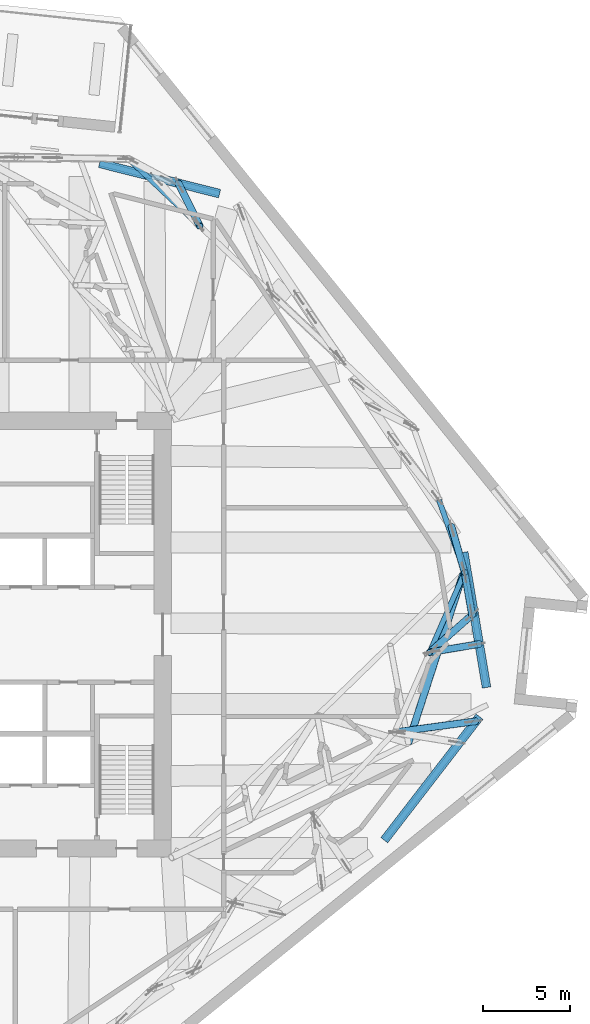
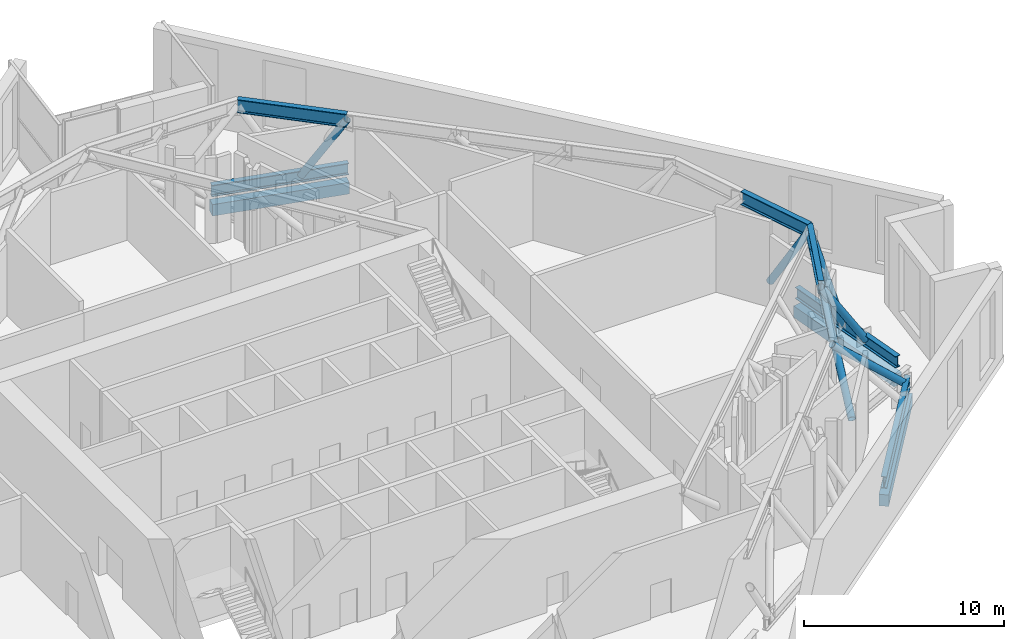
# One storey, part 4 of 17: 9 beams, 7 members.
"""IFC4 building model written with IfcOpenShell, lengths in metres."""

from ifc_helpers import new_model, si_unit, direction, frame, origin, origin_2d, place, context, subcontext, project, spatial, rectangle, hollow_circle, i_section, extrude, material, material_profile, profile_set, type_object, element, save


model = new_model("IFC4")

# Units and contexts
model_context = context("Model", 3, precision=1e-05, world=origin(), true_north=direction((0.0, 1.0)))
body_context = subcontext(model_context, "Body", "Model", "MODEL_VIEW")
ifc_project = project(units=[si_unit("LENGTHUNIT", "METRE"), si_unit("AREAUNIT", "SQUARE_METRE"), si_unit("VOLUMEUNIT", "CUBIC_METRE"), si_unit("PLANEANGLEUNIT", "RADIAN"), si_unit("MASSUNIT", "GRAM", prefix="KILO")], contexts=[model_context])

# Site, building, storey
site_placement = place(None, origin())
site = spatial("IfcSite", under=ifc_project, at=site_placement, CompositionType="ELEMENT")
building_placement = place(site_placement, origin())
building = spatial("IfcBuilding", under=site, at=building_placement, Name="Dilmun Exchange Tower", CompositionType="ELEMENT")
storey_placement = place(building_placement, frame((0.0, 0.0, 183.699951171875)))
storey = spatial("IfcBuildingStorey", under=building, at=storey_placement, Name="L43", CompositionType="ELEMENT", Elevation=183.699951171875)

# Beams
ifc_material_1 = material(Name="Concrete C40/50", Category="concrete")
ifc_material_profile_1 = material_profile(ifc_material_1, rectangle(XDim=0.5, YDim=0.699951171875, at=origin_2d()), Name="500 x 700")
ifc_profile_set_1 = profile_set([ifc_material_profile_1], Name="Concrete C40/50")
beam_type_1 = type_object("IfcBeamType", Name="RC ring beam 500 x 700 C40/50", PredefinedType="SPANDREL", material=ifc_profile_set_1)
beam_1_placement = place(storey_placement, frame((25.037109375, -11.819580078125, -0.75), z_axis=(0.610521727247, 0.791999507929, 0.0), x_axis=(-0.791999507929, 0.610521727247, 0.0)))
element("IfcBeam", 1, at=beam_1_placement, inside=storey, type_object=beam_type_1, Name="Ring beam 12", PredefinedType="SPANDREL", context=body_context, shape_type="SweptSolid", body=[
    extrude(rectangle(XDim=0.5, YDim=0.699951171875, at=origin_2d()), origin(), (0.0, 0.0, 1.0), 8.97314453125),
])
beam_2_placement = place(storey_placement, frame((30.91943359375, -3.036376953125, -0.75), z_axis=(-0.166485785433, 0.986043854628, 0.0), x_axis=(-0.986043854628, -0.166485785433, 0.0)))
element("IfcBeam", 2, at=beam_2_placement, inside=storey, type_object=beam_type_1, Name="Ring beam 13", PredefinedType="SPANDREL", context=body_context, shape_type="SweptSolid", body=[
    extrude(rectangle(XDim=0.5, YDim=0.699951171875, at=origin_2d()), origin(), (0.0, 0.0, 1.0), 7.890869140625),
])
beam_3_placement = place(storey_placement, frame((15.559326171875, 25.373291015625, -0.75), z_axis=(-0.96947736899, 0.245180812903, 0.0), x_axis=(-0.245180812903, -0.96947736899, 0.0)))
element("IfcBeam", 3, at=beam_3_placement, inside=storey, type_object=beam_type_1, Name="Ring beam 16", PredefinedType="SPANDREL", context=body_context, shape_type="SweptSolid", body=[
    extrude(rectangle(XDim=0.5, YDim=0.699951171875, at=origin_2d()), origin(), (0.0, 0.0, 1.0), 7.12060546875),
])
ifc_material_2 = material(Name="Steel S355", Category="steel")
ifc_material_profile_2 = material_profile(ifc_material_2, i_section(OverallWidth=0.300048828125, OverallDepth=0.699951171875, WebThickness=0.01708984375, FlangeThickness=0.031982421875, FilletRadius=0.027099609375, at=origin_2d()), Name="HEB 700")
ifc_profile_set_2 = profile_set([ifc_material_profile_2], Name="Steel S355")
beam_type_2 = type_object("IfcBeamType", Name="belt bottom chord HEB 700", PredefinedType="BEAM", material=ifc_profile_set_2)
beam_4_placement = place(storey_placement, frame((25.037109375, -11.819580078125, 0.35009765625), z_axis=(0.610521727247, 0.791999507929, 0.0), x_axis=(-0.791999507929, 0.610521727247, 0.0)))
element("IfcBeam", 4, at=beam_4_placement, inside=storey, type_object=beam_type_2, Name="Belt bottom chord 12", PredefinedType="BEAM", context=body_context, shape_type="SweptSolid", body=[
    extrude(i_section(OverallWidth=0.300048828125, OverallDepth=0.699951171875, WebThickness=0.01708984375, FlangeThickness=0.031982421875, FilletRadius=0.027099609375, at=origin_2d()), origin(), (0.0, 0.0, 1.0), 8.97314453125),
])
beam_5_placement = place(storey_placement, frame((30.91943359375, -3.036376953125, 0.35009765625), z_axis=(-0.166485785433, 0.986043854628, 0.0), x_axis=(-0.986043854628, -0.166485785433, 0.0)))
element("IfcBeam", 5, at=beam_5_placement, inside=storey, type_object=beam_type_2, Name="Belt bottom chord 13", PredefinedType="BEAM", context=body_context, shape_type="SweptSolid", body=[
    extrude(i_section(OverallWidth=0.300048828125, OverallDepth=0.699951171875, WebThickness=0.01708984375, FlangeThickness=0.031982421875, FilletRadius=0.027099609375, at=origin_2d()), origin(), (0.0, 0.0, 1.0), 7.890869140625),
])
beam_6_placement = place(storey_placement, frame((15.559326171875, 25.373291015625, 0.35009765625), z_axis=(-0.96947736899, 0.245180812903, 0.0), x_axis=(-0.245180812903, -0.96947736899, 0.0)))
element("IfcBeam", 6, at=beam_6_placement, inside=storey, type_object=beam_type_2, Name="Belt bottom chord 16", PredefinedType="BEAM", context=body_context, shape_type="SweptSolid", body=[
    extrude(i_section(OverallWidth=0.300048828125, OverallDepth=0.699951171875, WebThickness=0.01708984375, FlangeThickness=0.031982421875, FilletRadius=0.027099609375, at=origin_2d()), origin(), (0.0, 0.0, 1.0), 7.12060546875),
])
ifc_material_profile_3 = material_profile(ifc_material_2, i_section(OverallWidth=0.302978515625, OverallDepth=0.81396484375, WebThickness=0.02099609375, FlangeThickness=0.0400390625, FilletRadius=0.030029296875, at=origin_2d()), Name="HEM 800")
ifc_profile_set_3 = profile_set([ifc_material_profile_3], Name="Steel S355")
beam_type_3 = type_object("IfcBeamType", Name="transfer chord HEM 800", PredefinedType="BEAM", material=ifc_profile_set_3)
beam_7_placement = place(storey_placement, frame((27.64599609375, -1.013427734375, 4.81298828125), z_axis=(0.401224690202, 0.915979665698, 0.0), x_axis=(-0.915979665698, 0.401224690202, 0.0)))
element("IfcBeam", 7, at=beam_7_placement, inside=storey, type_object=beam_type_3, Name="Transfer chord 24", PredefinedType="BEAM", context=body_context, shape_type="SweptSolid", body=[
    extrude(i_section(OverallWidth=0.302978515625, OverallDepth=0.81396484375, WebThickness=0.02099609375, FlangeThickness=0.0400390625, FilletRadius=0.030029296875, at=origin_2d()), origin(), (0.0, 0.0, 1.0), 5.01708984375),
])
beam_8_placement = place(storey_placement, frame((29.658935546875, 3.58203125, 4.81298828125), z_axis=(-0.333411286795, 0.942781477246, 0.0), x_axis=(-0.942781477246, -0.333411286795, 0.0)))
element("IfcBeam", 8, at=beam_8_placement, inside=storey, type_object=beam_type_3, Name="Transfer chord 25", PredefinedType="BEAM", context=body_context, shape_type="SweptSolid", body=[
    extrude(i_section(OverallWidth=0.302978515625, OverallDepth=0.81396484375, WebThickness=0.02099609375, FlangeThickness=0.0400390625, FilletRadius=0.030029296875, at=origin_2d()), origin(), (0.0, 0.0, 1.0), 4.427978515625),
])
beam_9_placement = place(storey_placement, frame((14.426513671875, 23.505615234375, 4.81298828125), z_axis=(-0.727695235341, 0.685900608297, 0.0), x_axis=(-0.685900608297, -0.727695235341, 0.0)))
element("IfcBeam", 9, at=beam_9_placement, inside=storey, type_object=beam_type_3, Name="Transfer chord 30", PredefinedType="BEAM", context=body_context, shape_type="SweptSolid", body=[
    extrude(i_section(OverallWidth=0.302978515625, OverallDepth=0.81396484375, WebThickness=0.02099609375, FlangeThickness=0.0400390625, FilletRadius=0.030029296875, at=origin_2d()), origin(), (0.0, 0.0, 1.0), 5.625244140625),
])

# Members
ifc_material_profile_4 = material_profile(ifc_material_2, hollow_circle(Radius=0.203125, WallThickness=0.02490234375, at=origin_2d()), Name="CHS 406.4x25")
ifc_profile_set_4 = profile_set([ifc_material_profile_4], Name="Steel S355")
member_type = type_object("IfcMemberType", Name="truss diagonal CHS 406.4x25", PredefinedType="BRACE", material=ifc_profile_set_4)
member_1_placement = place(storey_placement, frame((25.633056640625, -5.60888671875, 4.81298828125), z_axis=(0.720420555672, 0.097991618255, -0.686579832005), x_axis=(-0.134778931438, 0.990875693334, 0.0)))
element("IfcMember", 10, at=member_1_placement, inside=storey, type_object=member_type, Name="Truss diagonal 45", PredefinedType="BRACE", context=body_context, shape_type="SweptSolid", body=[
    extrude(hollow_circle(Radius=0.203125, WallThickness=0.02490234375, at=origin_2d()), origin(), (0.0, 0.0, 1.0), 6.500244140625),
])
member_2_placement = place(storey_placement, frame((27.64599609375, -1.013427734375, 4.81298828125), z_axis=(0.536085997469, 0.090495503684, -0.839298735332), x_axis=(-0.166452843361, 0.986049416073, 0.0)))
element("IfcMember", 11, at=member_2_placement, inside=storey, type_object=member_type, Name="Truss diagonal 47", PredefinedType="BRACE", context=body_context, shape_type="SweptSolid", body=[
    extrude(hollow_circle(Radius=0.203125, WallThickness=0.02490234375, at=origin_2d()), origin(), (0.0, 0.0, 1.0), 5.3173828125),
])
member_3_placement = place(storey_placement, frame((27.64599609375, -1.013427734375, 4.81298828125), z_axis=(0.454417716424, 0.401882870847, -0.794980941356), x_axis=(-0.662479520923, 0.749080025336, 0.0)))
element("IfcMember", 12, at=member_3_placement, inside=storey, type_object=member_type, Name="Truss diagonal 48", PredefinedType="BRACE", context=body_context, shape_type="SweptSolid", body=[
    extrude(hollow_circle(Radius=0.203125, WallThickness=0.02490234375, at=origin_2d()), origin(), (0.0, 0.0, 1.0), 5.61376953125),
])
member_4_placement = place(storey_placement, frame((29.658935546875, 3.58203125, 4.81298828125), z_axis=(-0.14476579087, 0.504515067248, -0.851180011933), x_axis=(-0.961211995626, -0.275810622464, 0.0)))
element("IfcMember", 13, at=member_4_placement, inside=storey, type_object=member_type, Name="Truss diagonal 49", PredefinedType="BRACE", context=body_context, shape_type="SweptSolid", body=[
    extrude(hollow_circle(Radius=0.203125, WallThickness=0.02490234375, at=origin_2d()), origin(), (0.0, 0.0, 1.0), 5.2431640625),
])
member_5_placement = place(storey_placement, frame((29.658935546875, 3.58203125, 4.81298828125), z_axis=(0.0860969888, -0.494797760822, -0.864732608617), x_axis=(0.985196557149, 0.171428538411, 0.0)))
element("IfcMember", 14, at=member_5_placement, inside=storey, type_object=member_type, Name="Truss diagonal 50", PredefinedType="BRACE", context=body_context, shape_type="SweptSolid", body=[
    extrude(hollow_circle(Radius=0.203125, WallThickness=0.02490234375, at=origin_2d()), origin(), (0.0, 0.0, 1.0), 4.93115234375),
])
member_6_placement = place(storey_placement, frame((14.426513671875, 23.505615234375, 4.81298828125), z_axis=(-0.235030988751, 0.470061977502, -0.850765638489), x_axis=(-0.894427191, -0.4472135955, 0.0)))
element("IfcMember", 15, at=member_6_placement, inside=storey, type_object=member_type, Name="Truss diagonal 60", PredefinedType="BRACE", context=body_context, shape_type="SweptSolid", body=[
    extrude(hollow_circle(Radius=0.203125, WallThickness=0.02490234375, at=origin_2d()), origin(), (0.0, 0.0, 1.0), 5.245849609375),
])
member_7_placement = place(storey_placement, frame((29.569580078125, 3.4951171875, 4.77001953125), z_axis=(-0.282800023616, -0.873216320983, -0.396884622291), x_axis=(0.951352306014, -0.308105160363, 0.0)))
element("IfcMember", 16, at=member_7_placement, inside=storey, type_object=member_type, Name="Outrigger diagonal 4.3", PredefinedType="BRACE", context=body_context, shape_type="SweptSolid", body=[
    extrude(hollow_circle(Radius=0.203125, WallThickness=0.02490234375, at=origin_2d()), origin(), (0.0, 0.0, 1.0), 11.136474609375),
])

save(model, "model.ifc")
